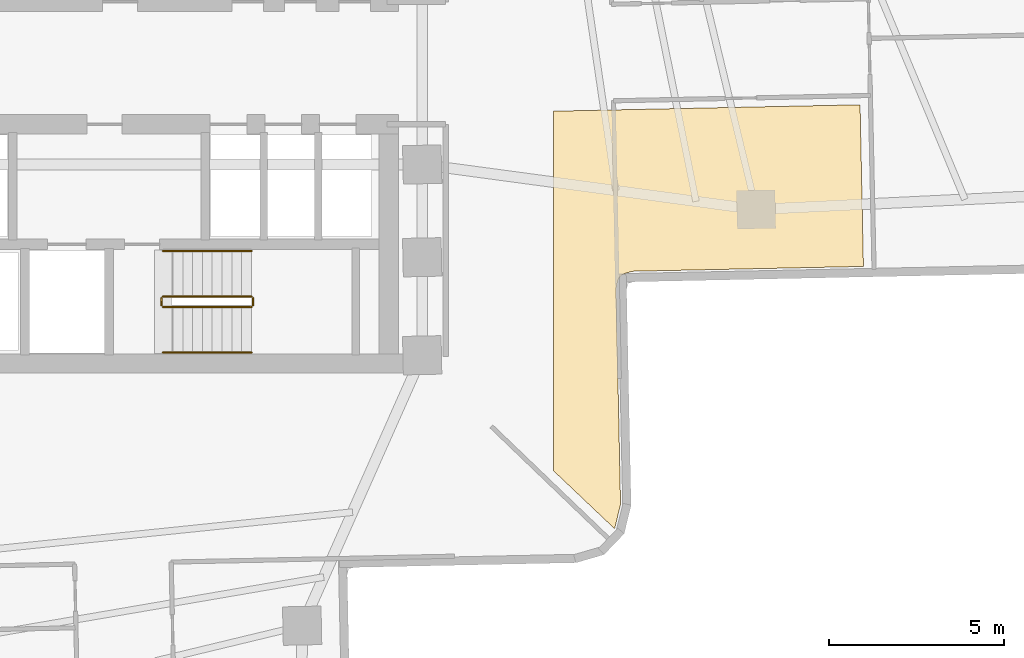
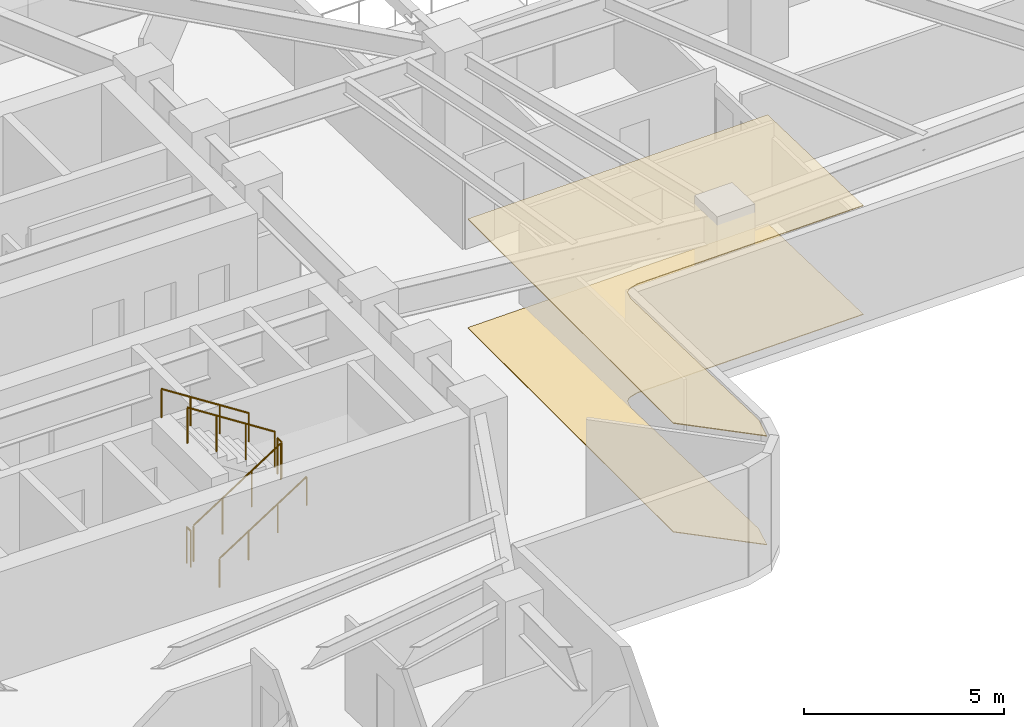
# One storey, part 8 of 10: 6 railings, 2 coverings.
"""IFC4 building model written with IfcOpenShell, lengths in metres."""

from ifc_helpers import new_model, si_unit, direction, frame, origin, origin_2d, place, context, subcontext, project, spatial, polyline, circle, outline, extrude, material, layer, layer_set, type_object, element, save


model = new_model("IFC4")

# Units and contexts
model_context = context("Model", 3, precision=1e-05, world=origin(), true_north=direction((0.0, 1.0)))
body_context = subcontext(model_context, "Body", "Model", "MODEL_VIEW")
ifc_project = project(units=[si_unit("LENGTHUNIT", "METRE"), si_unit("AREAUNIT", "SQUARE_METRE"), si_unit("VOLUMEUNIT", "CUBIC_METRE"), si_unit("PLANEANGLEUNIT", "RADIAN"), si_unit("MASSUNIT", "GRAM", prefix="KILO")], contexts=[model_context])

# Site, building, storey
site_placement = place(None, origin())
site = spatial("IfcSite", under=ifc_project, at=site_placement, CompositionType="ELEMENT")
building_placement = place(site_placement, origin())
building = spatial("IfcBuilding", under=site, at=building_placement, Name="Solmarez Civic Tower", CompositionType="ELEMENT")
storey_placement = place(building_placement, frame((0.0, 0.0, 35.280029296875)))
storey = spatial("IfcBuildingStorey", under=building, at=storey_placement, Name="L08", CompositionType="ELEMENT", Elevation=35.280029296875)

# Coverings
ifc_material_1 = material(Name="Perforated Mineral-Fibre Acoustic Ceiling")
ifc_layer_1 = layer(ifc_material_1, 0.02490234375)
ifc_layer_set_1 = layer_set([ifc_layer_1], Name="Perforated Mineral-Fibre Acoustic Ceiling")
covering_type_1 = type_object("IfcCoveringType", Name="COV-CEIL-ACOUSTIC", PredefinedType="CEILING", material=ifc_layer_set_1)
covering_1_placement = place(storey_placement, frame((0.0, 0.0, 3.31494140625)))
element("IfcCovering", 1, at=covering_1_placement, inside=storey, type_object=covering_type_1, Name="L08 Suspended Acoustic Ceiling 3", PredefinedType="CEILING", context=body_context, shape_type="SweptSolid", body=[
    extrude(outline(polyline([(12.60009765625, -1.3759765625), (12.60009765625, -11.64794921875), (14.343994140625, -13.302001953125), (14.347900390625, -13.297119140625), (14.51708984375, -12.610107421875), (14.388916015625, -6.466064453125), (14.388916015625, -6.458984375), (14.39111328125, -6.427978515625), (14.39208984375, -6.4208984375), (14.39306640625, -6.4140625), (14.39697265625, -6.39306640625), (14.43798828125, -6.22607421875), (14.43994140625, -6.218017578125), (14.44189453125, -6.2109375), (14.451904296875, -6.18408203125), (14.455078125, -6.177001953125), (14.4580078125, -6.169921875), (14.467041015625, -6.15087890625), (14.47802734375, -6.133056640625), (14.490966796875, -6.115966796875), (14.4990234375, -6.10595703125), (14.512939453125, -6.089111328125), (14.51904296875, -6.0830078125), (14.52392578125, -6.077880859375), (14.5390625, -6.06494140625), (14.553955078125, -6.052978515625), (14.572021484375, -6.0419921875), (14.587890625, -6.032958984375), (14.60595703125, -6.02392578125), (14.613037109375, -6.02099609375), (14.639892578125, -6.010986328125), (14.64599609375, -6.010009765625), (14.81201171875, -5.9609375), (14.819091796875, -5.958984375), (14.847900390625, -5.952880859375), (14.85498046875, -5.951904296875), (14.862060546875, -5.950927734375), (14.887939453125, -5.948974609375), (21.4560546875, -5.81201171875), (21.360107421875, -1.193115234375), (12.60009765625, -1.3759765625)])), origin(), (0.0, 0.0, 1.0), 0.025146484375),
])
ifc_material_2 = material(Name="Polished Tropical Stone Terrazzo Flooring", Category="masonry")
ifc_layer_2 = layer(ifc_material_2, 0.02001953125)
ifc_layer_set_2 = layer_set([ifc_layer_2], Name="Polished Tropical Stone Terrazzo Flooring")
covering_type_2 = type_object("IfcCoveringType", Name="COV-FLOOR-TERRAZZO", PredefinedType="FLOORING", material=ifc_layer_set_2)
covering_2_placement = place(storey_placement, origin())
element("IfcCovering", 2, at=covering_2_placement, inside=storey, type_object=covering_type_2, Name="L08 Terrazzo Floor Finish 3", PredefinedType="FLOORING", context=body_context, shape_type="SweptSolid", body=[
    extrude(outline(polyline([(12.60009765625, -1.3759765625), (12.60009765625, -11.64794921875), (14.343994140625, -13.302001953125), (14.347900390625, -13.297119140625), (14.51708984375, -12.610107421875), (14.388916015625, -6.466064453125), (14.388916015625, -6.458984375), (14.39111328125, -6.427978515625), (14.39208984375, -6.4208984375), (14.39306640625, -6.4140625), (14.39697265625, -6.39306640625), (14.43798828125, -6.22607421875), (14.43994140625, -6.218017578125), (14.44189453125, -6.2109375), (14.451904296875, -6.18408203125), (14.455078125, -6.177001953125), (14.4580078125, -6.169921875), (14.467041015625, -6.15087890625), (14.47802734375, -6.133056640625), (14.490966796875, -6.115966796875), (14.4990234375, -6.10595703125), (14.512939453125, -6.089111328125), (14.51904296875, -6.0830078125), (14.52392578125, -6.077880859375), (14.5390625, -6.06494140625), (14.553955078125, -6.052978515625), (14.572021484375, -6.0419921875), (14.587890625, -6.032958984375), (14.60595703125, -6.02392578125), (14.613037109375, -6.02099609375), (14.639892578125, -6.010986328125), (14.64599609375, -6.010009765625), (14.81201171875, -5.9609375), (14.819091796875, -5.958984375), (14.847900390625, -5.952880859375), (14.85498046875, -5.951904296875), (14.862060546875, -5.950927734375), (14.887939453125, -5.948974609375), (21.4560546875, -5.81201171875), (21.360107421875, -1.193115234375), (12.60009765625, -1.3759765625)])), origin(), (0.0, 0.0, 1.0), 0.02001953125),
])

# Railings
ifc_material_3 = material(Name="Painted Steel Stairwell Safety Guard", Category="steel")
railing_type_1 = type_object("IfcRailingType", Name="GUARD-STAIR-1120", PredefinedType="BALUSTRADE", material=ifc_material_3)
railing_1_placement = place(storey_placement, frame((1.449951171875, -6.969970703125, 0.179931640625)))
element("IfcRailing", 3, at=railing_1_placement, inside=storey, type_object=railing_type_1, Name="L08 ST-2 stair guard 1", PredefinedType="BALUSTRADE", context=body_context, shape_type="SweptSolid", body=[
    extrude(circle(Radius=0.02392578125, at=origin_2d()), frame((0.0, 0.0, 1.09619140625), z_axis=(0.841162588446, 0.0, 0.540782303519), x_axis=(0.0, 1.0, 0.0)), (0.0, 0.0, 1.0), 2.995849609375),
    extrude(circle(Radius=0.02099609375, at=origin_2d()), origin(), (0.0, 0.0, 1.0), 1.072021484375),
    extrude(circle(Radius=0.02099609375, at=origin_2d()), frame((0.840087890625, 0.0, 0.5400390625)), (0.0, 0.0, 1.0), 1.072021484375),
    extrude(circle(Radius=0.02099609375, at=origin_2d()), frame((1.679931640625, 0.0, 1.080078125)), (0.0, 0.0, 1.0), 1.072021484375),
    extrude(circle(Radius=0.02099609375, at=origin_2d()), frame((2.52001953125, 0.0, 1.6201171875)), (0.0, 0.0, 1.0), 1.072021484375),
])
railing_2_placement = place(storey_placement, frame((4.02001953125, -6.919921875, 1.800048828125)))
element("IfcRailing", 4, at=railing_2_placement, inside=storey, type_object=railing_type_1, Name="L08 ST-2 stair guard 2", PredefinedType="BALUSTRADE", context=body_context, shape_type="SweptSolid", body=[
    extrude(circle(Radius=0.02392578125, at=origin_2d()), frame((0.0, 0.0, 1.09619140625), z_axis=(0.0, 1.0, 0.0), x_axis=(-1.0, 0.0, 0.0)), (0.0, 0.0, 1.0), 0.199951171875),
    extrude(circle(Radius=0.02099609375, at=origin_2d()), origin(), (0.0, 0.0, 1.0), 1.072021484375),
    extrude(circle(Radius=0.02099609375, at=origin_2d()), frame((0.0, 0.199951171875, 0.0)), (0.0, 0.0, 1.0), 1.072021484375),
])
railing_3_placement = place(storey_placement, frame((3.969970703125, -6.669921875, 1.97998046875)))
element("IfcRailing", 5, at=railing_3_placement, inside=storey, type_object=railing_type_1, Name="L08 ST-2 stair guard 3", PredefinedType="BALUSTRADE", context=body_context, shape_type="SweptSolid", body=[
    extrude(circle(Radius=0.02392578125, at=origin_2d()), frame((0.0, 0.0, 1.09619140625), z_axis=(-0.841199657755, 0.0, 0.540724639528), x_axis=(0.0, -1.0, 0.0)), (0.0, 0.0, 1.0), 2.995849609375),
    extrude(circle(Radius=0.02099609375, at=origin_2d()), origin(), (0.0, 0.0, 1.0), 1.072021484375),
    extrude(circle(Radius=0.02099609375, at=origin_2d()), frame((-0.840087890625, 0.0, 0.5400390625)), (0.0, 0.0, 1.0), 1.072021484375),
    extrude(circle(Radius=0.02099609375, at=origin_2d()), frame((-1.679931640625, 0.0, 1.079833984375)), (0.0, 0.0, 1.0), 1.072021484375),
    extrude(circle(Radius=0.02099609375, at=origin_2d()), frame((-2.52001953125, 0.0, 1.619873046875)), (0.0, 0.0, 1.0), 1.072021484375),
])
railing_4_placement = place(storey_placement, frame((1.39990234375, -6.919921875, 0.0)))
element("IfcRailing", 6, at=railing_4_placement, inside=storey, type_object=railing_type_1, Name="L08 ST-2 stair guard 4", PredefinedType="BALUSTRADE", context=body_context, shape_type="SweptSolid", body=[
    extrude(circle(Radius=0.02392578125, at=origin_2d()), frame((0.0, 0.0, 1.09619140625), z_axis=(0.0, 1.0, 0.0), x_axis=(-1.0, 0.0, 0.0)), (0.0, 0.0, 1.0), 0.199951171875),
    extrude(circle(Radius=0.02099609375, at=origin_2d()), origin(), (0.0, 0.0, 1.0), 1.072021484375),
    extrude(circle(Radius=0.02099609375, at=origin_2d()), frame((0.0, 0.199951171875, 0.0)), (0.0, 0.0, 1.0), 1.072021484375),
])
ifc_material_4 = material(Name="Brushed Stainless Steel Tube Handrail", Category="steel")
railing_type_2 = type_object("IfcRailingType", Name="HANDRAIL-STAIR-900", PredefinedType="HANDRAIL", material=ifc_material_4)
railing_5_placement = place(storey_placement, frame((1.449951171875, -8.27001953125, 0.179931640625)))
element("IfcRailing", 7, at=railing_5_placement, inside=storey, type_object=railing_type_2, Name="L08 ST-2 stair handrail 1", PredefinedType="HANDRAIL", context=body_context, shape_type="SweptSolid", body=[
    extrude(circle(Radius=0.02392578125, at=origin_2d()), frame((0.0, 0.0, 0.8759765625), z_axis=(0.841162588446, 0.0, 0.540782303519), x_axis=(0.0, 1.0, 0.0)), (0.0, 0.0, 1.0), 2.995849609375),
    extrude(circle(Radius=0.02099609375, at=origin_2d()), origin(), (0.0, 0.0, 1.0), 0.851806640625),
    extrude(circle(Radius=0.02099609375, at=origin_2d()), frame((0.840087890625, 0.0, 0.5400390625)), (0.0, 0.0, 1.0), 0.851806640625),
    extrude(circle(Radius=0.02099609375, at=origin_2d()), frame((1.679931640625, 0.0, 1.080078125)), (0.0, 0.0, 1.0), 0.851806640625),
    extrude(circle(Radius=0.02099609375, at=origin_2d()), frame((2.52001953125, 0.0, 1.6201171875)), (0.0, 0.0, 1.0), 0.851806640625),
])
railing_6_placement = place(storey_placement, frame((3.969970703125, -5.3701171875, 1.97998046875)))
element("IfcRailing", 8, at=railing_6_placement, inside=storey, type_object=railing_type_2, Name="L08 ST-2 stair handrail 2", PredefinedType="HANDRAIL", context=body_context, shape_type="SweptSolid", body=[
    extrude(circle(Radius=0.02392578125, at=origin_2d()), frame((0.0, 0.0, 0.8759765625), z_axis=(-0.841199657755, 0.0, 0.540724639528), x_axis=(0.0, -1.0, 0.0)), (0.0, 0.0, 1.0), 2.995849609375),
    extrude(circle(Radius=0.02099609375, at=origin_2d()), origin(), (0.0, 0.0, 1.0), 0.851806640625),
    extrude(circle(Radius=0.02099609375, at=origin_2d()), frame((-0.840087890625, 0.0, 0.5400390625)), (0.0, 0.0, 1.0), 0.851806640625),
    extrude(circle(Radius=0.02099609375, at=origin_2d()), frame((-1.679931640625, 0.0, 1.079833984375)), (0.0, 0.0, 1.0), 0.851806640625),
    extrude(circle(Radius=0.02099609375, at=origin_2d()), frame((-2.52001953125, 0.0, 1.619873046875)), (0.0, 0.0, 1.0), 0.851806640625),
])

save(model, "model.ifc")
